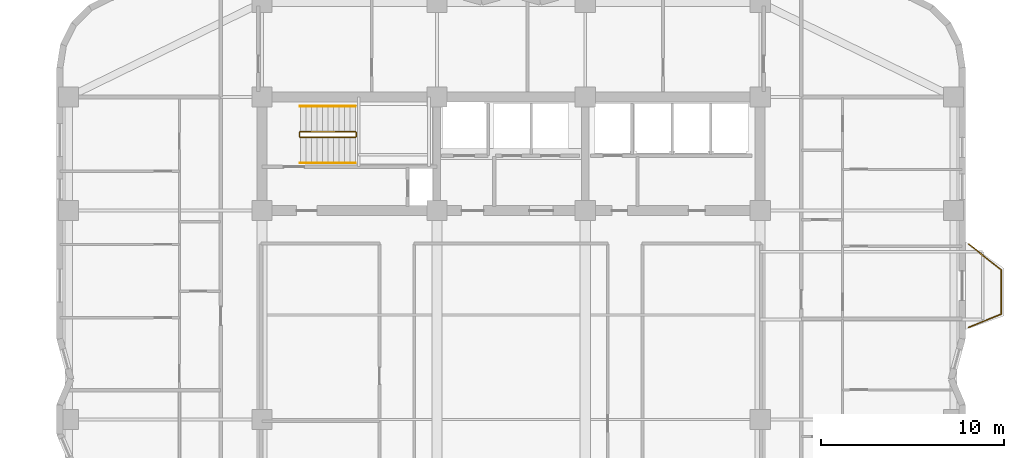
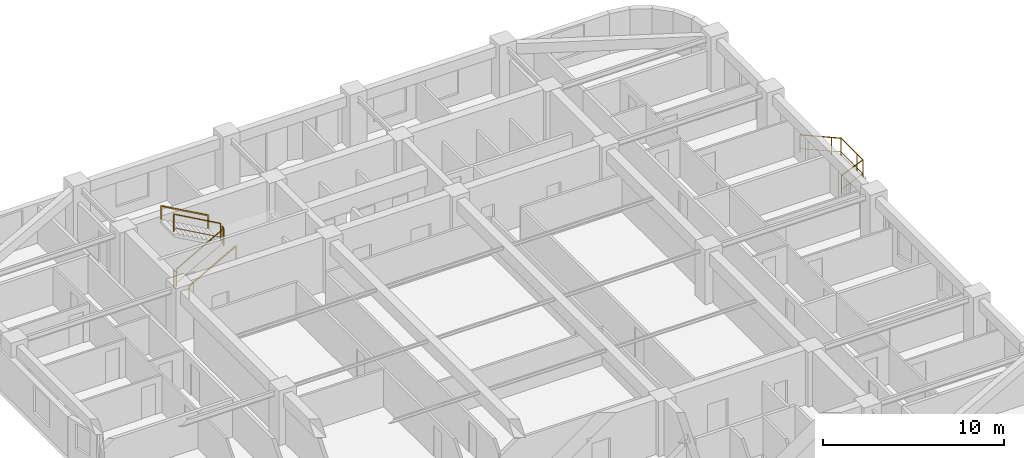
# One storey, part 9 of 9: 7 railings.
"""IFC4 building model written with IfcOpenShell, lengths in metres."""

from ifc_helpers import new_model, si_unit, direction, frame, origin, origin_2d, place, context, subcontext, project, spatial, rectangle, extrude, material, type_object, element, save


model = new_model("IFC4")

# Units and contexts
model_context = context("Model", 3, precision=1e-05, world=origin(), true_north=direction((0.0, 1.0)))
body_context = subcontext(model_context, "Body", "Model", "MODEL_VIEW")
ifc_project = project(units=[si_unit("LENGTHUNIT", "METRE"), si_unit("AREAUNIT", "SQUARE_METRE"), si_unit("VOLUMEUNIT", "CUBIC_METRE"), si_unit("PLANEANGLEUNIT", "RADIAN"), si_unit("MASSUNIT", "GRAM", prefix="KILO")], contexts=[model_context])

# Site, building, storey
site_placement = place(None, origin())
site = spatial("IfcSite", under=ifc_project, at=site_placement, CompositionType="ELEMENT")
building_placement = place(site_placement, origin())
building = spatial("IfcBuilding", under=site, at=building_placement, Name="Svetorya Sky Lyceum", CompositionType="ELEMENT")
storey_placement = place(building_placement, frame((0.0, 0.0, 88.300048828125)))
storey = spatial("IfcBuildingStorey", under=building, at=storey_placement, Name="L21", CompositionType="ELEMENT", Elevation=88.300048828125)

# Railings
ifc_material_1 = material(Name="Laminated safety glass and stainless AISI 316", Category="glass")
railing_type_1 = type_object("IfcRailingType", Name="RL-BAL-1200", PredefinedType="BALUSTRADE", material=ifc_material_1)
railing_1_placement = place(storey_placement, frame((64.169921875, 37.780029296875, 0.0)))
element("IfcRailing", 1, at=railing_1_placement, inside=storey, type_object=railing_type_1, Name="L21 Balcony Balustrade BAL-E1", PredefinedType="BALUSTRADE", context=body_context, shape_type="SweptSolid", body=[
    extrude(rectangle(XDim=0.048095703125, YDim=0.048095703125, at=origin_2d()), frame((0.0, 0.0, 1.17578125), z_axis=(0.783008919264, -0.622010476079, 0.0), x_axis=(0.622010476079, 0.783008919264, 0.0)), (0.0, 0.0, 1.0), 2.298828125),
    extrude(rectangle(XDim=0.02392578125, YDim=0.02392578125, at=origin_2d()), frame((0.0, 0.0, 0.25), z_axis=(0.783008919264, -0.622010476079, 0.0), x_axis=(0.622010476079, 0.783008919264, 0.0)), (0.0, 0.0, 1.0), 2.298828125),
    extrude(rectangle(XDim=0.048095703125, YDim=0.048095703125, at=origin_2d()), frame((1.800048828125, -1.429931640625, 1.17578125), z_axis=(0.0, -1.0, 0.0), x_axis=(1.0, 0.0, 0.0)), (0.0, 0.0, 1.0), 2.400146484375),
    extrude(rectangle(XDim=0.02392578125, YDim=0.02392578125, at=origin_2d()), frame((1.800048828125, -1.429931640625, 0.25), z_axis=(0.0, -1.0, 0.0), x_axis=(1.0, 0.0, 0.0)), (0.0, 0.0, 1.0), 2.400146484375),
    extrude(rectangle(XDim=0.048095703125, YDim=0.048095703125, at=origin_2d()), frame((1.800048828125, -3.830078125, 1.17578125), z_axis=(-0.926697865975, -0.375807218129, 0.0), x_axis=(0.375807218129, -0.926697865975, 0.0)), (0.0, 0.0, 1.0), 1.9423828125),
    extrude(rectangle(XDim=0.02392578125, YDim=0.02392578125, at=origin_2d()), frame((1.800048828125, -3.830078125, 0.25), z_axis=(-0.926697865975, -0.375807218129, 0.0), x_axis=(0.375807218129, -0.926697865975, 0.0)), (0.0, 0.0, 1.0), 1.9423828125),
    extrude(rectangle(XDim=0.0419921875, YDim=0.0419921875, at=origin_2d()), origin(), (0.0, 0.0, 1.0), 1.15185546875),
    extrude(rectangle(XDim=0.0419921875, YDim=0.0419921875, at=origin_2d()), frame((1.370361328125, -1.088623046875, 0.0)), (0.0, 0.0, 1.0), 1.15185546875),
    extrude(rectangle(XDim=0.0419921875, YDim=0.0419921875, at=origin_2d()), frame((1.800048828125, -1.429931640625, 0.0)), (0.0, 0.0, 1.0), 1.15185546875),
    extrude(rectangle(XDim=0.0419921875, YDim=0.0419921875, at=origin_2d()), frame((1.800048828125, -3.179931640625, 0.0)), (0.0, 0.0, 1.0), 1.15185546875),
    extrude(rectangle(XDim=0.0419921875, YDim=0.0419921875, at=origin_2d()), frame((1.800048828125, -3.830078125, 0.0)), (0.0, 0.0, 1.0), 1.15185546875),
    extrude(rectangle(XDim=0.0419921875, YDim=0.0419921875, at=origin_2d()), frame((0.0, -4.56005859375, 0.0)), (0.0, 0.0, 1.0), 1.15185546875),
])
ifc_material_2 = material(Name="Painted galvanized stair well guard")
railing_type_2 = type_object("IfcRailingType", Name="RL-STR-GUARD-1200", PredefinedType="GUARDRAIL", material=ifc_material_2)
railing_2_placement = place(storey_placement, frame((27.699951171875, 43.60009765625, 0.168212890625)))
element("IfcRailing", 2, at=railing_2_placement, inside=storey, type_object=railing_type_2, Name="L21 ST-N stair guard 1", PredefinedType="GUARDRAIL", context=body_context, shape_type="SweptSolid", body=[
    extrude(rectangle(XDim=0.048095703125, YDim=0.048095703125, at=origin_2d()), frame((0.0, 0.0, 1.17578125), z_axis=(0.872302573547, 0.0, 0.488966481656), x_axis=(0.0, 1.0, 0.0)), (0.0, 0.0, 1.0), 3.439208984375),
    extrude(rectangle(XDim=0.02392578125, YDim=0.02392578125, at=origin_2d()), frame((0.0, 0.0, 0.25), z_axis=(0.872302573547, 0.0, 0.488966481656), x_axis=(0.0, 1.0, 0.0)), (0.0, 0.0, 1.0), 3.439208984375),
    extrude(rectangle(XDim=0.0419921875, YDim=0.0419921875, at=origin_2d()), origin(), (0.0, 0.0, 1.0), 1.15185546875),
    extrude(rectangle(XDim=0.0419921875, YDim=0.0419921875, at=origin_2d()), frame((3.0, 0.0, 1.681640625)), (0.0, 0.0, 1.0), 1.15185546875),
])
railing_3_placement = place(storey_placement, frame((30.75, 43.64990234375, 1.849853515625)))
element("IfcRailing", 3, at=railing_3_placement, inside=storey, type_object=railing_type_2, Name="L21 ST-N stair guard 2", PredefinedType="GUARDRAIL", context=body_context, shape_type="SweptSolid", body=[
    extrude(rectangle(XDim=0.048095703125, YDim=0.048095703125, at=origin_2d()), frame((0.0, 0.0, 1.17578125), z_axis=(0.0, 1.0, 0.0), x_axis=(-1.0, 0.0, 0.0)), (0.0, 0.0, 1.0), 0.2001953125),
    extrude(rectangle(XDim=0.02392578125, YDim=0.02392578125, at=origin_2d()), frame((0.0, 0.0, 0.25), z_axis=(0.0, 1.0, 0.0), x_axis=(-1.0, 0.0, 0.0)), (0.0, 0.0, 1.0), 0.2001953125),
    extrude(rectangle(XDim=0.0419921875, YDim=0.0419921875, at=origin_2d()), origin(), (0.0, 0.0, 1.0), 1.15185546875),
    extrude(rectangle(XDim=0.0419921875, YDim=0.0419921875, at=origin_2d()), frame((0.0, 0.2001953125, 0.0)), (0.0, 0.0, 1.0), 1.15185546875),
])
railing_4_placement = place(storey_placement, frame((30.699951171875, 43.89990234375, 2.01806640625)))
element("IfcRailing", 4, at=railing_4_placement, inside=storey, type_object=railing_type_2, Name="L21 ST-N stair guard 3", PredefinedType="GUARDRAIL", context=body_context, shape_type="SweptSolid", body=[
    extrude(rectangle(XDim=0.048095703125, YDim=0.048095703125, at=origin_2d()), frame((0.0, 0.0, 1.17578125), z_axis=(-0.872272294576, 0.0, 0.489020494575), x_axis=(0.0, -1.0, 0.0)), (0.0, 0.0, 1.0), 3.439208984375),
    extrude(rectangle(XDim=0.02392578125, YDim=0.02392578125, at=origin_2d()), frame((0.0, 0.0, 0.25), z_axis=(-0.872272294576, 0.0, 0.489020494575), x_axis=(0.0, -1.0, 0.0)), (0.0, 0.0, 1.0), 3.439208984375),
    extrude(rectangle(XDim=0.0419921875, YDim=0.0419921875, at=origin_2d()), origin(), (0.0, 0.0, 1.0), 1.15185546875),
    extrude(rectangle(XDim=0.0419921875, YDim=0.0419921875, at=origin_2d()), frame((-3.0, 0.0, 1.681884765625)), (0.0, 0.0, 1.0), 1.15185546875),
])
railing_5_placement = place(storey_placement, frame((27.64990234375, 43.64990234375, 0.0)))
element("IfcRailing", 5, at=railing_5_placement, inside=storey, type_object=railing_type_2, Name="L21 ST-N stair guard 4", PredefinedType="GUARDRAIL", context=body_context, shape_type="SweptSolid", body=[
    extrude(rectangle(XDim=0.048095703125, YDim=0.048095703125, at=origin_2d()), frame((0.0, 0.0, 1.17578125), z_axis=(0.0, 1.0, 0.0), x_axis=(-1.0, 0.0, 0.0)), (0.0, 0.0, 1.0), 0.2001953125),
    extrude(rectangle(XDim=0.02392578125, YDim=0.02392578125, at=origin_2d()), frame((0.0, 0.0, 0.25), z_axis=(0.0, 1.0, 0.0), x_axis=(-1.0, 0.0, 0.0)), (0.0, 0.0, 1.0), 0.2001953125),
    extrude(rectangle(XDim=0.0419921875, YDim=0.0419921875, at=origin_2d()), origin(), (0.0, 0.0, 1.0), 1.15185546875),
    extrude(rectangle(XDim=0.0419921875, YDim=0.0419921875, at=origin_2d()), frame((0.0, 0.2001953125, 0.0)), (0.0, 0.0, 1.0), 1.15185546875),
])
ifc_material_3 = material(Name="Brushed stainless AISI 304 stair handrail")
railing_type_3 = type_object("IfcRailingType", Name="RL-STR-HAND-920", PredefinedType="HANDRAIL", material=ifc_material_3)
railing_6_placement = place(storey_placement, frame((27.699951171875, 42.199951171875, 0.168212890625)))
element("IfcRailing", 6, at=railing_6_placement, inside=storey, type_object=railing_type_3, Name="L21 ST-N stair handrail 1", PredefinedType="HANDRAIL", context=body_context, shape_type="SweptSolid", body=[
    extrude(rectangle(XDim=0.048095703125, YDim=0.048095703125, at=origin_2d()), frame((0.0, 0.0, 0.8759765625), z_axis=(0.872302573547, 0.0, 0.488966481656), x_axis=(0.0, 1.0, 0.0)), (0.0, 0.0, 1.0), 3.439208984375),
    extrude(rectangle(XDim=0.0419921875, YDim=0.0419921875, at=origin_2d()), origin(), (0.0, 0.0, 1.0), 0.851806640625),
    extrude(rectangle(XDim=0.0419921875, YDim=0.0419921875, at=origin_2d()), frame((3.0, 0.0, 1.681640625)), (0.0, 0.0, 1.0), 0.851806640625),
])
railing_7_placement = place(storey_placement, frame((30.699951171875, 45.300048828125, 2.01806640625)))
element("IfcRailing", 7, at=railing_7_placement, inside=storey, type_object=railing_type_3, Name="L21 ST-N stair handrail 2", PredefinedType="HANDRAIL", context=body_context, shape_type="SweptSolid", body=[
    extrude(rectangle(XDim=0.048095703125, YDim=0.048095703125, at=origin_2d()), frame((0.0, 0.0, 0.8759765625), z_axis=(-0.872272294576, 0.0, 0.489020494575), x_axis=(0.0, -1.0, 0.0)), (0.0, 0.0, 1.0), 3.439208984375),
    extrude(rectangle(XDim=0.0419921875, YDim=0.0419921875, at=origin_2d()), origin(), (0.0, 0.0, 1.0), 0.851806640625),
    extrude(rectangle(XDim=0.0419921875, YDim=0.0419921875, at=origin_2d()), frame((-3.0, 0.0, 1.681884765625)), (0.0, 0.0, 1.0), 0.851806640625),
])

save(model, "model.ifc")
